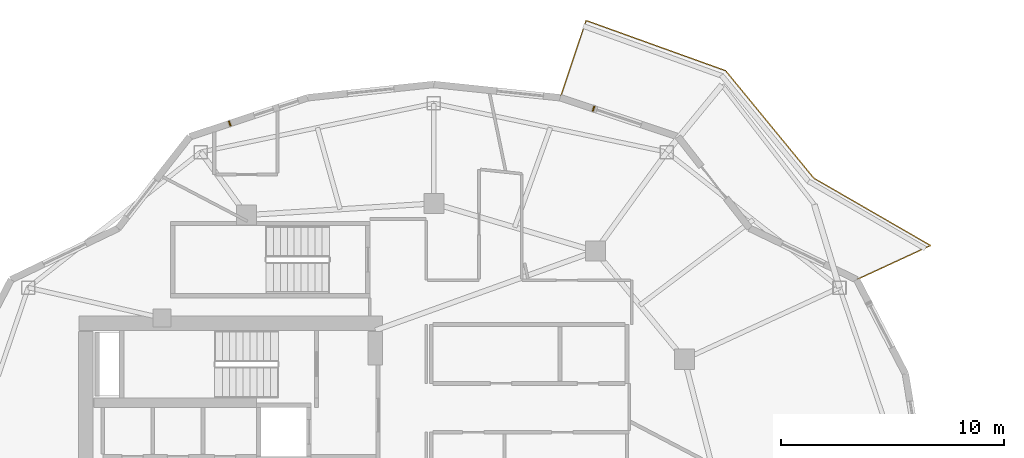
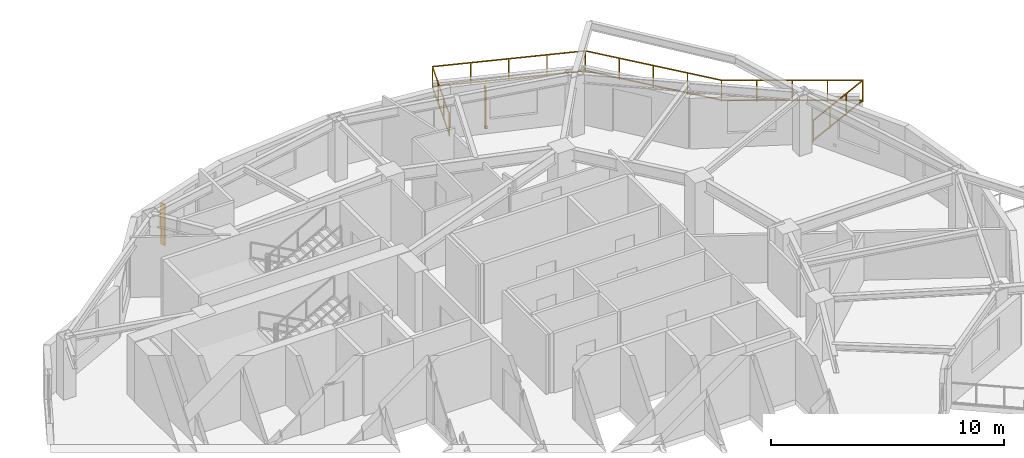
# One storey, part 11 of 11: 2 shading devices, 1 railing.
"""IFC4 building model written with IfcOpenShell, lengths in metres."""

from ifc_helpers import new_model, si_unit, direction, frame, origin, origin_2d, place, context, subcontext, project, spatial, rectangle, extrude, material, type_object, element, save


model = new_model("IFC4")

# Units and contexts
model_context = context("Model", 3, precision=1e-05, world=origin(), true_north=direction((0.0, 1.0)))
body_context = subcontext(model_context, "Body", "Model", "MODEL_VIEW")
ifc_project = project(units=[si_unit("LENGTHUNIT", "METRE"), si_unit("AREAUNIT", "SQUARE_METRE"), si_unit("VOLUMEUNIT", "CUBIC_METRE"), si_unit("PLANEANGLEUNIT", "RADIAN"), si_unit("MASSUNIT", "GRAM", prefix="KILO")], contexts=[model_context])

# Site, building, storey
site_placement = place(None, origin())
site = spatial("IfcSite", under=ifc_project, at=site_placement, CompositionType="ELEMENT")
building_placement = place(site_placement, origin())
building = spatial("IfcBuilding", under=site, at=building_placement, Name="Kolvaren Gate Tower and Convention Centre", CompositionType="ELEMENT")
storey_placement = place(building_placement, frame((0.0, 0.0, 159.699951171875)))
storey = spatial("IfcBuildingStorey", under=building, at=storey_placement, Name="L41", CompositionType="ELEMENT", Elevation=159.699951171875)

# Railing
ifc_material_1 = material(Name="Brushed Stainless Steel Grade 316L", Category="steel")
railing_type = type_object("IfcRailingType", Name="ARCH-RL-GUARD-1150", PredefinedType="GUARDRAIL", material=ifc_material_1)
railing_placement = place(storey_placement, frame((49.123291015625, 35.77490234375, 0.0)))
element("IfcRailing", 1, at=railing_placement, inside=storey, type_object=railing_type, Name="Tower L41 Terrace Perimeter Guardrail GR-1", PredefinedType="GUARDRAIL", context=body_context, shape_type="SweptSolid", body=[
    extrude(rectangle(XDim=0.048095703125, YDim=0.048095703125, at=origin_2d()), frame((0.025390625, 0.01171875, 1.1259765625), z_axis=(0.907820723829, 0.419358478377, 0.0), x_axis=(-0.419358478377, 0.907820723829, 0.0)), (0.0, 0.0, 1.0), 3.60400390625),
    extrude(rectangle(XDim=0.048095703125, YDim=0.048095703125, at=origin_2d()), frame((0.025390625, 0.01171875, 0.083984375), z_axis=(0.907820723829, 0.419358478377, 0.0), x_axis=(-0.419358478377, 0.907820723829, 0.0)), (0.0, 0.0, 1.0), 3.60400390625),
    extrude(rectangle(XDim=0.048095703125, YDim=0.048095703125, at=origin_2d()), frame((3.298583984375, 1.548828125, 1.1259765625), z_axis=(-0.866075571306, 0.499913097234, 0.0), x_axis=(-0.499913097234, -0.866075571306, 0.0)), (0.0, 0.0, 1.0), 6.004150390625),
    extrude(rectangle(XDim=0.048095703125, YDim=0.048095703125, at=origin_2d()), frame((3.298583984375, 1.548828125, 0.083984375), z_axis=(-0.866075571306, 0.499913097234, 0.0), x_axis=(-0.499913097234, -0.866075571306, 0.0)), (0.0, 0.0, 1.0), 6.004150390625),
    extrude(rectangle(XDim=0.048095703125, YDim=0.048095703125, at=origin_2d()), frame((-1.943603515625, 4.586181640625, 1.1259765625), z_axis=(-0.634429234628, 0.77298094818, 0.0), x_axis=(-0.77298094818, -0.634429234628, 0.0)), (0.0, 0.0, 1.0), 6.188720703125),
    extrude(rectangle(XDim=0.048095703125, YDim=0.048095703125, at=origin_2d()), frame((-1.943603515625, 4.586181640625, 0.083984375), z_axis=(-0.634429234628, 0.77298094818, 0.0), x_axis=(-0.77298094818, -0.634429234628, 0.0)), (0.0, 0.0, 1.0), 6.188720703125),
    extrude(rectangle(XDim=0.048095703125, YDim=0.048095703125, at=origin_2d()), frame((-5.9140625, 9.401123046875, 1.1259765625), z_axis=(-0.940948576924, 0.338549517184, 0.0), x_axis=(-0.338549517184, -0.940948576924, 0.0)), (0.0, 0.0, 1.0), 6.60791015625),
    extrude(rectangle(XDim=0.048095703125, YDim=0.048095703125, at=origin_2d()), frame((-5.9140625, 9.401123046875, 0.083984375), z_axis=(-0.940948576924, 0.338549517184, 0.0), x_axis=(-0.338549517184, -0.940948576924, 0.0)), (0.0, 0.0, 1.0), 6.60791015625),
    extrude(rectangle(XDim=0.048095703125, YDim=0.048095703125, at=origin_2d()), frame((-12.1669921875, 11.62109375, 1.1259765625), z_axis=(-0.317568160167, -0.94823544737, 0.0), x_axis=(0.94823544737, -0.317568160167, 0.0)), (0.0, 0.0, 1.0), 3.60400390625),
    extrude(rectangle(XDim=0.048095703125, YDim=0.048095703125, at=origin_2d()), frame((-12.1669921875, 11.62109375, 0.083984375), z_axis=(-0.317568160167, -0.94823544737, 0.0), x_axis=(0.94823544737, -0.317568160167, 0.0)), (0.0, 0.0, 1.0), 3.60400390625),
    extrude(rectangle(XDim=0.0419921875, YDim=0.0419921875, at=origin_2d()), origin(), (0.0, 0.0, 1.0), 1.14990234375),
    extrude(rectangle(XDim=0.0419921875, YDim=0.0419921875, at=origin_2d()), frame((3.32275390625, 1.534912109375, 0.0)), (0.0, 0.0, 1.0), 1.14990234375),
    extrude(rectangle(XDim=0.0419921875, YDim=0.0419921875, at=origin_2d()), frame((1.107666015625, 0.51171875, 0.0)), (0.0, 0.0, 1.0), 1.099853515625),
    extrude(rectangle(XDim=0.0419921875, YDim=0.0419921875, at=origin_2d()), frame((2.215087890625, 1.023193359375, 0.0)), (0.0, 0.0, 1.0), 1.099853515625),
    extrude(rectangle(XDim=0.0419921875, YDim=0.0419921875, at=origin_2d()), frame((-1.92578125, 4.564453125, 0.0)), (0.0, 0.0, 1.0), 1.14990234375),
    extrude(rectangle(XDim=0.0419921875, YDim=0.0419921875, at=origin_2d()), frame((2.0107421875, 2.292236328125, 0.0)), (0.0, 0.0, 1.0), 1.099853515625),
    extrude(rectangle(XDim=0.0419921875, YDim=0.0419921875, at=origin_2d()), frame((0.698486328125, 3.0498046875, 0.0)), (0.0, 0.0, 1.0), 1.099853515625),
    extrude(rectangle(XDim=0.0419921875, YDim=0.0419921875, at=origin_2d()), frame((-0.61376953125, 3.80712890625, 0.0)), (0.0, 0.0, 1.0), 1.099853515625),
    extrude(rectangle(XDim=0.0419921875, YDim=0.0419921875, at=origin_2d()), frame((-5.8876953125, 9.3916015625, 0.0)), (0.0, 0.0, 1.0), 1.14990234375),
    extrude(rectangle(XDim=0.0419921875, YDim=0.0419921875, at=origin_2d()), frame((-2.916259765625, 5.771240234375, 0.0)), (0.0, 0.0, 1.0), 1.099853515625),
    extrude(rectangle(XDim=0.0419921875, YDim=0.0419921875, at=origin_2d()), frame((-3.90673828125, 6.97802734375, 0.0)), (0.0, 0.0, 1.0), 1.099853515625),
    extrude(rectangle(XDim=0.0419921875, YDim=0.0419921875, at=origin_2d()), frame((-4.897216796875, 8.184814453125, 0.0)), (0.0, 0.0, 1.0), 1.099853515625),
    extrude(rectangle(XDim=0.0419921875, YDim=0.0419921875, at=origin_2d()), frame((-12.158203125, 11.647705078125, 0.0)), (0.0, 0.0, 1.0), 1.14990234375),
    extrude(rectangle(XDim=0.0419921875, YDim=0.0419921875, at=origin_2d()), frame((-7.455322265625, 9.95556640625, 0.0)), (0.0, 0.0, 1.0), 1.099853515625),
    extrude(rectangle(XDim=0.0419921875, YDim=0.0419921875, at=origin_2d()), frame((-9.02294921875, 10.51953125, 0.0)), (0.0, 0.0, 1.0), 1.099853515625),
    extrude(rectangle(XDim=0.0419921875, YDim=0.0419921875, at=origin_2d()), frame((-10.590576171875, 11.083740234375, 0.0)), (0.0, 0.0, 1.0), 1.099853515625),
    extrude(rectangle(XDim=0.0419921875, YDim=0.0419921875, at=origin_2d()), frame((-13.320556640625, 8.177001953125, 0.0)), (0.0, 0.0, 1.0), 1.14990234375),
    extrude(rectangle(XDim=0.0419921875, YDim=0.0419921875, at=origin_2d()), frame((-12.545654296875, 10.49072265625, 0.0)), (0.0, 0.0, 1.0), 1.099853515625),
    extrude(rectangle(XDim=0.0419921875, YDim=0.0419921875, at=origin_2d()), frame((-12.93310546875, 9.333984375, 0.0)), (0.0, 0.0, 1.0), 1.099853515625),
])

# Shading devices
ifc_material_2 = material(Name="Kiln-Fired Bogota Terracotta Ceramic Louvre Profile", Category="masonry")
shading_device_type = type_object("IfcShadingDeviceType", Name="ARCH-SHD-FIN-180", PredefinedType="JALOUSIE", material=ifc_material_2)
for number, where, z_axis, x_axis, name in (
    (2, (37.2998046875, 43.455810546875, 0.22021484375), (0.0, 0.0, 1.0), (0.949239532616, -0.314554144335, 0.0), "Ceramic Vertical Brise-Soleil Fin FN-L41-04"),
    (3, (20.950439453125, 42.793212890625, 0.22021484375), (0.0, 0.0, 1.0), (0.949237885602, 0.314559114537, 0.0), "Ceramic Vertical Brise-Soleil Fin FN-L41-07"),
):
    element("IfcShadingDevice", number, at=place(storey_placement, frame(where, z_axis=z_axis, x_axis=x_axis)), inside=storey, type_object=shading_device_type, Name=name, PredefinedType="JALOUSIE", context=body_context, shape_type="SweptSolid", body=[
        extrude(rectangle(XDim=0.06005859375, YDim=0.239990234375, at=origin_2d()), origin(), (0.0, 0.0, 1.0), 2.14990234375),
    ])

save(model, "model.ifc")
